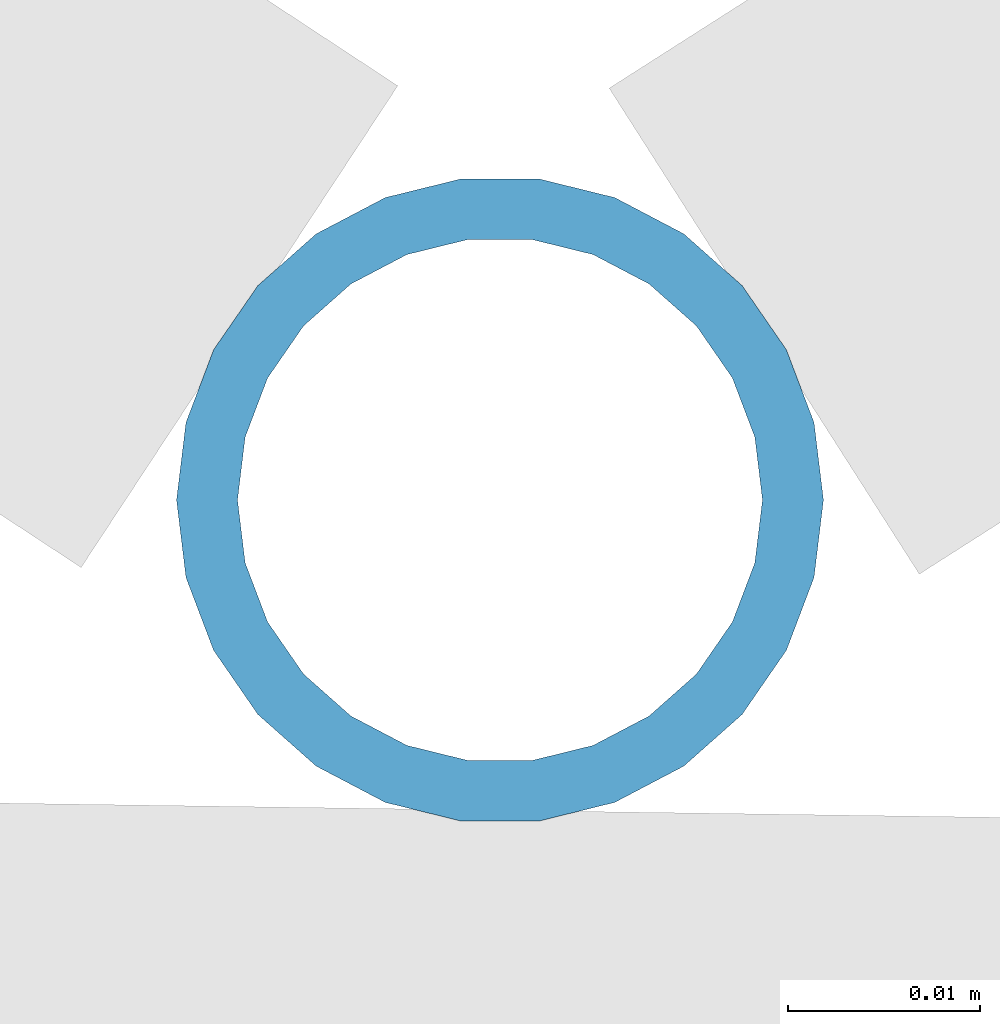
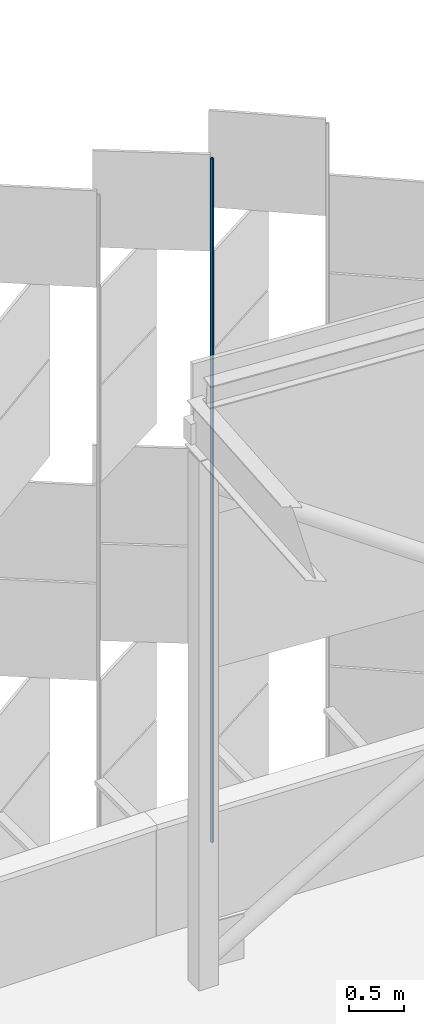
# One storey, part 388 of 483: 1 discrete accessory.
"""IFC4 building model written with IfcOpenShell, lengths in metres."""

from ifc_helpers import new_model, si_unit, direction, frame, origin, origin_2d, place, context, subcontext, project, spatial, hollow_circle, extrude, material, material_profile, profile_set, type_object, element, save


model = new_model("IFC4")

# Units and contexts
model_context = context("Model", 3, precision=1e-05, world=origin(), true_north=direction((0.0, 1.0)))
body_context = subcontext(model_context, "Body", "Model", "MODEL_VIEW")
ifc_project = project(units=[si_unit("LENGTHUNIT", "METRE"), si_unit("AREAUNIT", "SQUARE_METRE"), si_unit("VOLUMEUNIT", "CUBIC_METRE"), si_unit("PLANEANGLEUNIT", "RADIAN"), si_unit("MASSUNIT", "GRAM", prefix="KILO")], contexts=[model_context])

# Site, building, storey
site_placement = place(None, origin())
site = spatial("IfcSite", under=ifc_project, at=site_placement, CompositionType="ELEMENT")
building_placement = place(site_placement, origin())
building = spatial("IfcBuilding", under=site, at=building_placement, Name="Parallax Yard Mobility Hub", CompositionType="ELEMENT")
storey_placement = place(building_placement, frame((0.0, 0.0, 13.199951171875)))
storey = spatial("IfcBuildingStorey", under=building, at=storey_placement, Name="L04", CompositionType="ELEMENT", Elevation=13.199951171875)

# Discrete accessory
ifc_material = material(Name="Steel ASTM A500 Gr C, hot-dip galvanised", Category="steel")
ifc_material_profile = material_profile(ifc_material, hollow_circle(Radius=0.016845703125, WallThickness=0.003173828125, at=origin_2d()), Name="CHS 33.7x3.2")
ifc_profile_set = profile_set([ifc_material_profile], Name="Steel ASTM A500 Gr C, hot-dip galvanised")
discrete_accessory_type = type_object("IfcDiscreteAccessoryType", Name="Hinge post CHS 33.7x3.2", PredefinedType="BRACKET", material=ifc_profile_set)
discrete_accessory_placement = place(storey_placement, frame((173.69384765625, 143.306884765625, 0.0), z_axis=(0.0, 0.0, 1.0), x_axis=(1.0, 0.0, 0.0)))
element("IfcDiscreteAccessory", 1, at=discrete_accessory_placement, inside=storey, type_object=discrete_accessory_type, Name="Hinge post bay 50.7 level L04", PredefinedType="BRACKET", context=body_context, shape_type="SweptSolid", body=[
    extrude(hollow_circle(Radius=0.016845703125, WallThickness=0.003173828125, at=origin_2d()), origin(), (0.0, 0.0, 1.0), 7.650146484375),
])

save(model, "model.ifc")
